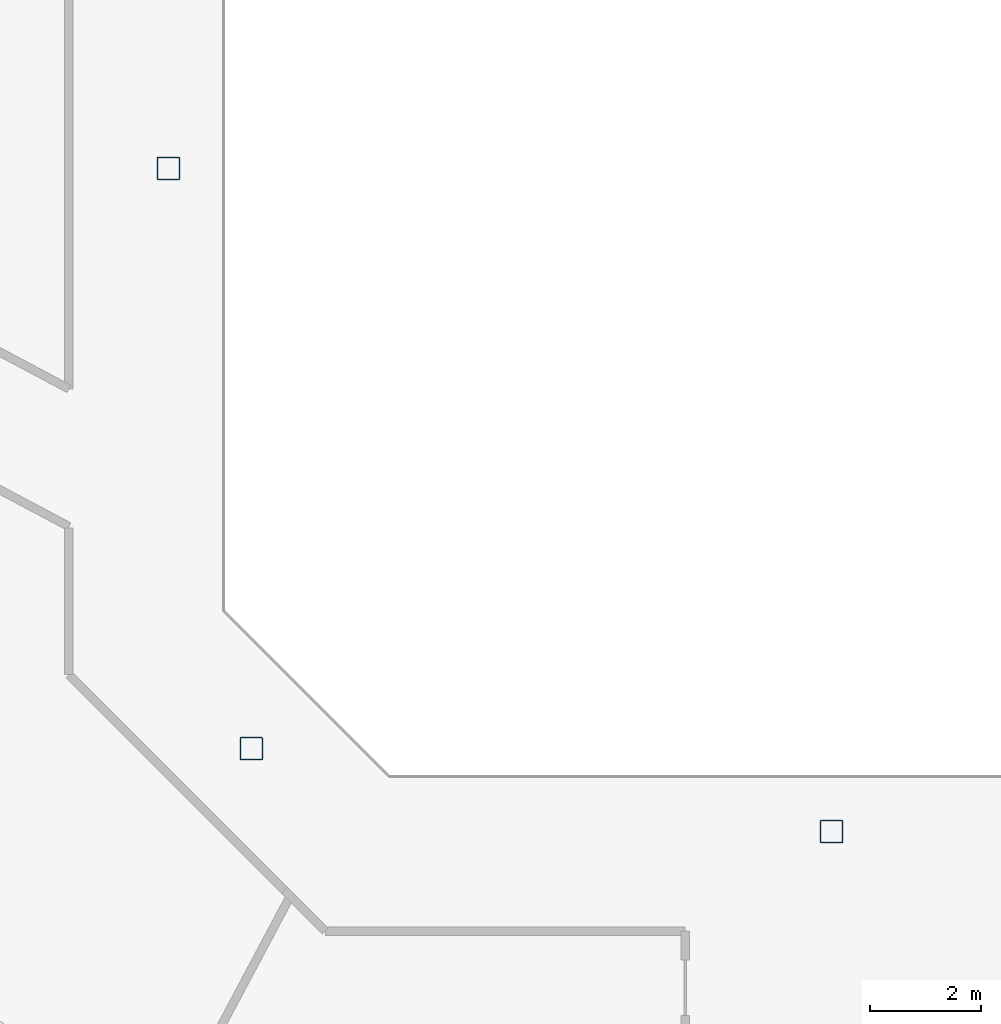
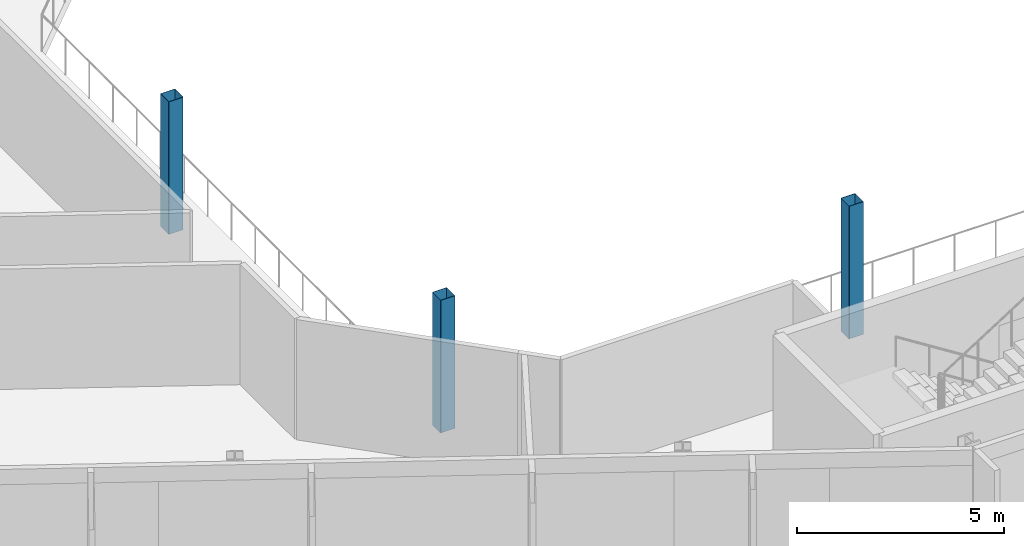
# One storey, part 2 of 25: 3 columns.
"""IFC4 building model written with IfcOpenShell, lengths in metres."""

from ifc_helpers import new_model, si_unit, direction, frame, origin, origin_2d, place, context, subcontext, project, spatial, hollow_rectangle, extrude, material, material_profile, profile_set, type_object, element, save


model = new_model("IFC4")

# Units and contexts
model_context = context("Model", 3, precision=1e-05, world=origin(), true_north=direction((0.0, 1.0)))
body_context = subcontext(model_context, "Body", "Model", "MODEL_VIEW")
ifc_project = project(units=[si_unit("LENGTHUNIT", "METRE"), si_unit("AREAUNIT", "SQUARE_METRE"), si_unit("VOLUMEUNIT", "CUBIC_METRE"), si_unit("PLANEANGLEUNIT", "RADIAN"), si_unit("MASSUNIT", "GRAM", prefix="KILO")], contexts=[model_context])

# Site, building, storey
site_placement = place(None, origin())
site = spatial("IfcSite", under=ifc_project, at=site_placement, CompositionType="ELEMENT")
building_placement = place(site_placement, origin())
building = spatial("IfcBuilding", under=site, at=building_placement, Name="Cormorant Relay Tower", CompositionType="ELEMENT")
storey_placement = place(building_placement, frame((0.0, 0.0, 281.39990234375)))
storey = spatial("IfcBuildingStorey", under=building, at=storey_placement, Name="L63", CompositionType="ELEMENT", Elevation=281.39990234375)

# Columns
ifc_material = material(Name="Steel ASTM A500 Grade C (Fy 345 MPa)", Category="steel")
ifc_material_profile = material_profile(ifc_material, hollow_rectangle(XDim=0.406494140625, YDim=0.406494140625, WallThickness=0.0087890625, InnerFilletRadius=0.00439453125, OuterFilletRadius=0.01318359375, at=origin_2d()), Name="HSS406x406x9")
ifc_profile_set = profile_set([ifc_material_profile], Name="Steel ASTM A500 Grade C (Fy 345 MPa)")
column_type = type_object("IfcColumnType", Name="Column HSS406x406x9", PredefinedType="COLUMN", material=ifc_profile_set)
for number, where, z_axis, x_axis, name in (
    (1, (0.0, -12.0, 0.0), (0.0, 0.0, 1.0), (1.0, 0.0, 0.0), "Column L63-007"),
    (2, (-10.5, -10.5, 0.0), (0.0, 0.0, 1.0), (1.0, 0.0, 0.0), "Column L63-009"),
    (3, (-12.0, 0.0, 0.0), (0.0, 0.0, 1.0), (1.0, 0.0, 0.0), "Column L63-015"),
):
    element("IfcColumn", number, at=place(storey_placement, frame(where, z_axis=z_axis, x_axis=x_axis)), inside=storey, type_object=column_type, Name=name, PredefinedType="COLUMN", context=body_context, shape_type="SweptSolid", body=[
        extrude(hollow_rectangle(XDim=0.406494140625, YDim=0.406494140625, WallThickness=0.0087890625, InnerFilletRadius=0.00439453125, OuterFilletRadius=0.01318359375, at=origin_2d()), origin(), (0.0, 0.0, 1.0), 3.900146484375),
    ])

save(model, "model.ifc")
